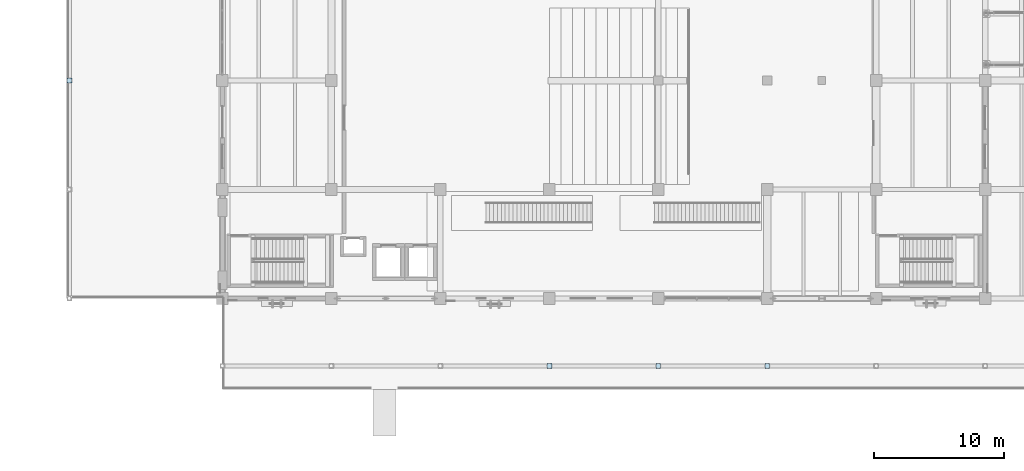
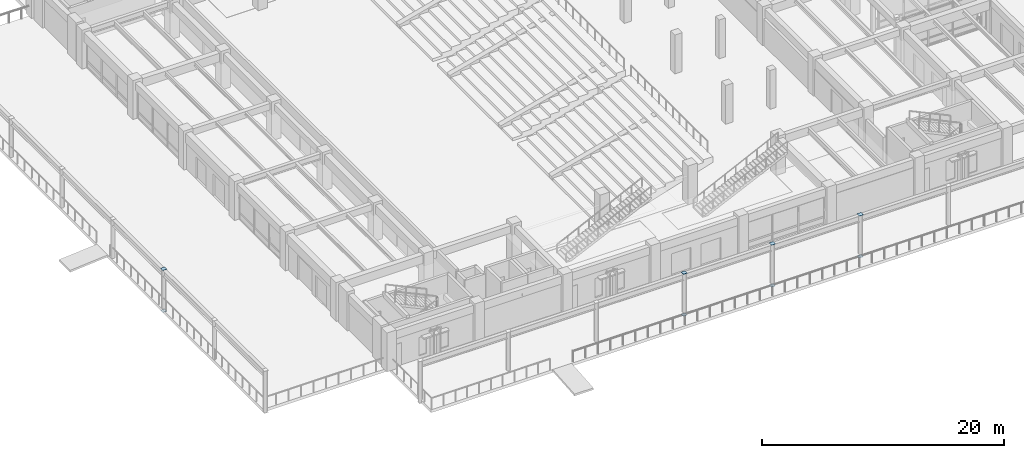
# One storey, part 73 of 135: 8 plates.
"""IFC4 building model written with IfcOpenShell, lengths in metres."""

from ifc_helpers import new_model, si_unit, direction, frame, origin, origin_2d, place, context, subcontext, project, spatial, rectangle, extrude, material, layer, layer_set, type_object, element, save


model = new_model("IFC4")

# Units and contexts
model_context = context("Model", 3, precision=1e-05, world=origin(), true_north=direction((0.0, 1.0)))
body_context = subcontext(model_context, "Body", "Model", "MODEL_VIEW")
ifc_project = project(units=[si_unit("LENGTHUNIT", "METRE"), si_unit("AREAUNIT", "SQUARE_METRE"), si_unit("VOLUMEUNIT", "CUBIC_METRE"), si_unit("PLANEANGLEUNIT", "RADIAN"), si_unit("MASSUNIT", "GRAM", prefix="KILO")], contexts=[model_context])

# Site, building, storey
site_placement = place(None, origin())
site = spatial("IfcSite", under=ifc_project, at=site_placement, CompositionType="ELEMENT")
building_placement = place(site_placement, origin())
building = spatial("IfcBuilding", under=site, at=building_placement, Name="Cumbredor Promenade Congress Hotel", CompositionType="ELEMENT")
storey_placement = place(building_placement, origin())
storey = spatial("IfcBuildingStorey", under=building, at=storey_placement, Name="L00", CompositionType="ELEMENT", Elevation=0.0)

# Plates
ifc_material = material(Name="Steel ASTM A572 Grade 50", Category="steel")
ifc_layer = layer(ifc_material, 0.02001953125, Name="Steel ASTM A572 Grade 50", Category="steel")
ifc_layer_set = layer_set([ifc_layer], Name="Steel ASTM A572 Grade 50")
plate_type = type_object("IfcPlateType", Name="Hollow Section End Cap Plate CP-04", PredefinedType="USERDEFINED", material=ifc_layer_set)
for number, where, z_axis, x_axis, name in (
    (1, (-3.39990234375, 25.199951171875, -0.318115234375), (0.0, 0.0, 1.0), (1.0, 0.0, 0.0), "Promenade Colonnade Column TC-003 Start Cap Plate"),
    (2, (-3.39990234375, 25.199951171875, 3.91796875), (0.0, 0.0, 1.0), (1.0, 0.0, 0.0), "Promenade Colonnade Column TC-003 End Cap Plate"),
    (3, (33.60009765625, 3.199951171875, -0.318115234375), (0.0, 0.0, 1.0), (1.0, 0.0, 0.0), "Promenade Colonnade Column TC-012 Start Cap Plate"),
    (4, (33.60009765625, 3.199951171875, 3.91796875), (0.0, 0.0, 1.0), (1.0, 0.0, 0.0), "Promenade Colonnade Column TC-012 End Cap Plate"),
    (5, (42.0, 3.199951171875, -0.318115234375), (0.0, 0.0, 1.0), (1.0, 0.0, 0.0), "Promenade Colonnade Column TC-013 Start Cap Plate"),
    (6, (42.0, 3.199951171875, 3.91796875), (0.0, 0.0, 1.0), (1.0, 0.0, 0.0), "Promenade Colonnade Column TC-013 End Cap Plate"),
    (7, (50.39990234375, 3.199951171875, -0.318115234375), (0.0, 0.0, 1.0), (1.0, 0.0, 0.0), "Promenade Colonnade Column TC-014 Start Cap Plate"),
    (8, (50.39990234375, 3.199951171875, 3.91796875), (0.0, 0.0, 1.0), (1.0, 0.0, 0.0), "Promenade Colonnade Column TC-014 End Cap Plate"),
):
    element("IfcPlate", number, at=place(storey_placement, frame(where, z_axis=z_axis, x_axis=x_axis)), inside=storey, type_object=plate_type, Name=name, ObjectType="CAP PLATE", PredefinedType="USERDEFINED", context=body_context, shape_type="SweptSolid", body=[
        extrude(rectangle(XDim=0.3798828125, YDim=0.3798828125, at=origin_2d()), origin(), (0.0, 0.0, 1.0), 0.02001953125),
    ])

save(model, "model.ifc")
